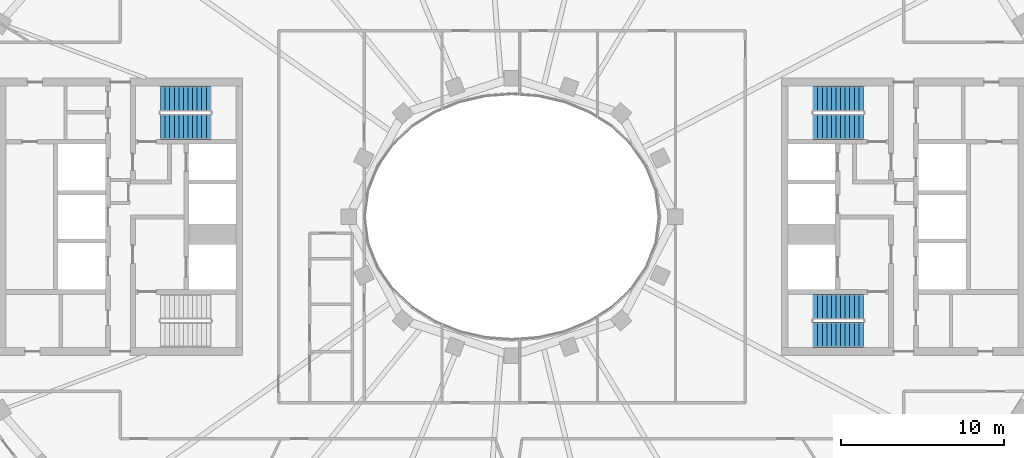
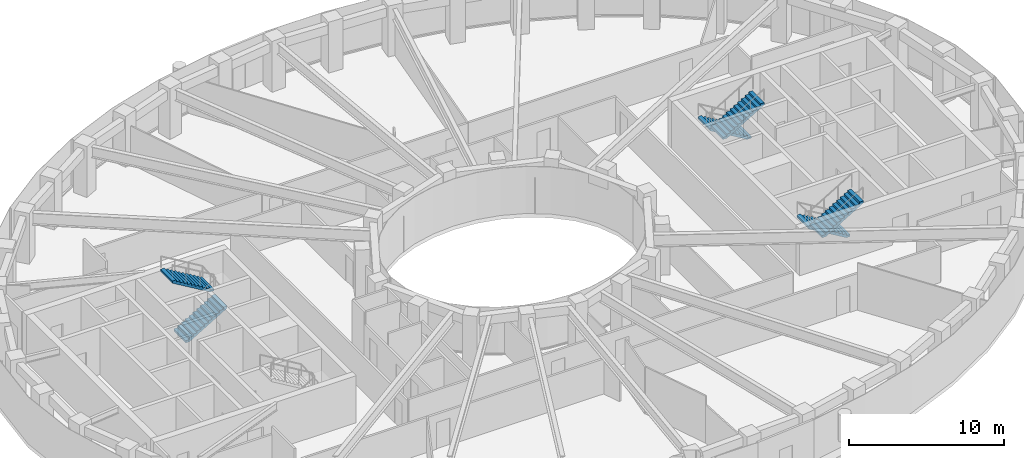
# One storey, part 7 of 16: 6 stair flights, 3 elements without a shape of their own.
"""IFC4 building model written with IfcOpenShell, lengths in metres."""

from ifc_helpers import new_model, si_unit, direction, frame, origin, place, context, subcontext, project, spatial, polyline, outline, extrude, material, type_object, element, aggregate, save


model = new_model("IFC4")

# Units and contexts
model_context = context("Model", 3, precision=1e-05, world=origin(), true_north=direction((0.0, 1.0)))
body_context = subcontext(model_context, "Body", "Model", "MODEL_VIEW")
ifc_project = project(units=[si_unit("LENGTHUNIT", "METRE"), si_unit("AREAUNIT", "SQUARE_METRE"), si_unit("VOLUMEUNIT", "CUBIC_METRE"), si_unit("PLANEANGLEUNIT", "RADIAN"), si_unit("MASSUNIT", "GRAM", prefix="KILO")], contexts=[model_context])

# Site, building, storey
site_placement = place(None, origin())
site = spatial("IfcSite", under=ifc_project, at=site_placement, CompositionType="ELEMENT")
building_placement = place(site_placement, origin())
building = spatial("IfcBuilding", under=site, at=building_placement, Name="Noorbagh Ring Tower", CompositionType="ELEMENT")
storey_placement = place(building_placement, frame((0.0, 0.0, 281.5)))
storey = spatial("IfcBuildingStorey", under=building, at=storey_placement, Name="L60", CompositionType="ELEMENT", Elevation=281.5)

# Stair, stair flights
ifc_material_1 = material(Name="Concrete C40/50", Category="concrete")
stair_type = type_object("IfcStairType", Name="CORE-STAIR", PredefinedType="HALF_TURN_STAIR", material=ifc_material_1)
stair_1_placement = place(storey_placement, origin())
stair_1 = element("IfcStair", 1, at=stair_1_placement, inside=storey, type_object=stair_type, Name="L60 Exit stair ST1", PredefinedType="HALF_TURN_STAIR")
ifc_material_2 = material(Name="Concrete C40/50", Category="concrete")
stair_flight_type = type_object("IfcStairFlightType", Name="CORE-STAIR-FLIGHT", PredefinedType="STRAIGHT", material=ifc_material_2)
stair_flight_1_placement = place(storey_placement, frame((-21.530029296875, 5.52490234375, 0.0), z_axis=(0.0, 0.0, 1.0), x_axis=(1.0, 0.0, 0.0)))
stair_flight_1 = element("IfcStairFlight", 2, at=stair_flight_1_placement, type_object=stair_flight_type, Name="ST1 flight 1", NumberOfRisers=12, NumberOfTreads=11, PredefinedType="STRAIGHT", RiserHeight=0.166666667, TreadLength=0.28, context=body_context, shape_type="SweptSolid", body=[
    extrude(outline(polyline([(0.0, 0.0), (0.0, 0.166748046875), (0.280029296875, 0.166748046875), (0.280029296875, 0.333251953125), (0.56005859375, 0.333251953125), (0.56005859375, 0.5), (0.840087890625, 0.5), (0.840087890625, 0.666748046875), (1.1201171875, 0.666748046875), (1.1201171875, 0.833251953125), (1.39990234375, 0.833251953125), (1.39990234375, 1.0), (1.679931640625, 1.0), (1.679931640625, 1.166748046875), (1.9599609375, 1.166748046875), (1.9599609375, 1.333251953125), (2.239990234375, 1.333251953125), (2.239990234375, 1.5), (2.52001953125, 1.5), (2.52001953125, 1.666748046875), (2.800048828125, 1.666748046875), (2.800048828125, 1.833251953125), (3.080078125, 1.833251953125), (3.080078125, 2.0), (3.080078125, 1.658935546875), (0.29296875, 0.0), (0.0, 0.0)])), frame((0.0, 0.77490234375, 0.0), z_axis=(0.0, -1.0, 0.0), x_axis=(1.0, 0.0, 0.0)), (0.0, 0.0, 1.0), 1.550048828125),
])
stair_flight_2_placement = place(storey_placement, frame((-18.449951171875, 7.22509765625, 2.0), z_axis=(0.0, 0.0, 1.0), x_axis=(-1.0, 0.0, 0.0)))
stair_flight_2 = element("IfcStairFlight", 3, at=stair_flight_2_placement, type_object=stair_flight_type, Name="ST1 flight 2", NumberOfRisers=12, NumberOfTreads=11, PredefinedType="STRAIGHT", RiserHeight=0.166666667, TreadLength=0.28, context=body_context, shape_type="SweptSolid", body=[
    extrude(outline(polyline([(0.0, 0.0), (0.0, 0.166748046875), (0.280029296875, 0.166748046875), (0.280029296875, 0.333251953125), (0.56005859375, 0.333251953125), (0.56005859375, 0.5), (0.840087890625, 0.5), (0.840087890625, 0.666748046875), (1.1201171875, 0.666748046875), (1.1201171875, 0.833251953125), (1.39990234375, 0.833251953125), (1.39990234375, 1.0), (1.679931640625, 1.0), (1.679931640625, 1.166748046875), (1.9599609375, 1.166748046875), (1.9599609375, 1.333251953125), (2.239990234375, 1.333251953125), (2.239990234375, 1.5), (2.52001953125, 1.5), (2.52001953125, 1.666748046875), (2.800048828125, 1.666748046875), (2.800048828125, 1.833251953125), (3.080078125, 1.833251953125), (3.080078125, 2.0), (3.080078125, 1.658935546875), (0.29296875, 0.0), (0.0, 0.0)])), frame((0.0, 0.77490234375, 0.0), z_axis=(0.0, -1.0, 0.0), x_axis=(1.0, 0.0, 0.0)), (0.0, 0.0, 1.0), 1.550048828125),
])
aggregate(stair_1, [stair_flight_1, stair_flight_2])

stair_2_placement = place(storey_placement, origin())
stair_2 = element("IfcStair", 4, at=stair_2_placement, inside=storey, type_object=stair_type, Name="L60 Exit stair ST3", PredefinedType="HALF_TURN_STAIR")
stair_flight_3_placement = place(storey_placement, frame((21.530029296875, 7.22509765625, 0.0), z_axis=(0.0, 0.0, 1.0), x_axis=(-1.0, 0.0, 0.0)))
stair_flight_3 = element("IfcStairFlight", 5, at=stair_flight_3_placement, type_object=stair_flight_type, Name="ST3 flight 1", NumberOfRisers=12, NumberOfTreads=11, PredefinedType="STRAIGHT", RiserHeight=0.166666667, TreadLength=0.28, context=body_context, shape_type="SweptSolid", body=[
    extrude(outline(polyline([(0.0, 0.0), (0.0, 0.166748046875), (0.280029296875, 0.166748046875), (0.280029296875, 0.333251953125), (0.56005859375, 0.333251953125), (0.56005859375, 0.5), (0.840087890625, 0.5), (0.840087890625, 0.666748046875), (1.1201171875, 0.666748046875), (1.1201171875, 0.833251953125), (1.39990234375, 0.833251953125), (1.39990234375, 1.0), (1.679931640625, 1.0), (1.679931640625, 1.166748046875), (1.9599609375, 1.166748046875), (1.9599609375, 1.333251953125), (2.239990234375, 1.333251953125), (2.239990234375, 1.5), (2.52001953125, 1.5), (2.52001953125, 1.666748046875), (2.800048828125, 1.666748046875), (2.800048828125, 1.833251953125), (3.080078125, 1.833251953125), (3.080078125, 2.0), (3.080078125, 1.658935546875), (0.29296875, 0.0), (0.0, 0.0)])), frame((0.0, 0.77490234375, 0.0), z_axis=(0.0, -1.0, 0.0), x_axis=(1.0, 0.0, 0.0)), (0.0, 0.0, 1.0), 1.550048828125),
])
stair_flight_4_placement = place(storey_placement, frame((18.449951171875, 5.52490234375, 2.0), z_axis=(0.0, 0.0, 1.0), x_axis=(1.0, 0.0, 0.0)))
stair_flight_4 = element("IfcStairFlight", 6, at=stair_flight_4_placement, type_object=stair_flight_type, Name="ST3 flight 2", NumberOfRisers=12, NumberOfTreads=11, PredefinedType="STRAIGHT", RiserHeight=0.166666667, TreadLength=0.28, context=body_context, shape_type="SweptSolid", body=[
    extrude(outline(polyline([(0.0, 0.0), (0.0, 0.166748046875), (0.280029296875, 0.166748046875), (0.280029296875, 0.333251953125), (0.56005859375, 0.333251953125), (0.56005859375, 0.5), (0.840087890625, 0.5), (0.840087890625, 0.666748046875), (1.1201171875, 0.666748046875), (1.1201171875, 0.833251953125), (1.39990234375, 0.833251953125), (1.39990234375, 1.0), (1.679931640625, 1.0), (1.679931640625, 1.166748046875), (1.9599609375, 1.166748046875), (1.9599609375, 1.333251953125), (2.239990234375, 1.333251953125), (2.239990234375, 1.5), (2.52001953125, 1.5), (2.52001953125, 1.666748046875), (2.800048828125, 1.666748046875), (2.800048828125, 1.833251953125), (3.080078125, 1.833251953125), (3.080078125, 2.0), (3.080078125, 1.658935546875), (0.29296875, 0.0), (0.0, 0.0)])), frame((0.0, 0.77490234375, 0.0), z_axis=(0.0, -1.0, 0.0), x_axis=(1.0, 0.0, 0.0)), (0.0, 0.0, 1.0), 1.550048828125),
])
aggregate(stair_2, [stair_flight_3, stair_flight_4])

stair_3_placement = place(storey_placement, origin())
stair_3 = element("IfcStair", 7, at=stair_3_placement, inside=storey, type_object=stair_type, Name="L60 Exit stair ST4", PredefinedType="HALF_TURN_STAIR")
stair_flight_5_placement = place(storey_placement, frame((21.530029296875, -5.52490234375, 0.0), z_axis=(0.0, 0.0, 1.0), x_axis=(-1.0, 0.0, 0.0)))
stair_flight_5 = element("IfcStairFlight", 8, at=stair_flight_5_placement, type_object=stair_flight_type, Name="ST4 flight 1", NumberOfRisers=12, NumberOfTreads=11, PredefinedType="STRAIGHT", RiserHeight=0.166666667, TreadLength=0.28, context=body_context, shape_type="SweptSolid", body=[
    extrude(outline(polyline([(0.0, 0.0), (0.0, 0.166748046875), (0.280029296875, 0.166748046875), (0.280029296875, 0.333251953125), (0.56005859375, 0.333251953125), (0.56005859375, 0.5), (0.840087890625, 0.5), (0.840087890625, 0.666748046875), (1.1201171875, 0.666748046875), (1.1201171875, 0.833251953125), (1.39990234375, 0.833251953125), (1.39990234375, 1.0), (1.679931640625, 1.0), (1.679931640625, 1.166748046875), (1.9599609375, 1.166748046875), (1.9599609375, 1.333251953125), (2.239990234375, 1.333251953125), (2.239990234375, 1.5), (2.52001953125, 1.5), (2.52001953125, 1.666748046875), (2.800048828125, 1.666748046875), (2.800048828125, 1.833251953125), (3.080078125, 1.833251953125), (3.080078125, 2.0), (3.080078125, 1.658935546875), (0.29296875, 0.0), (0.0, 0.0)])), frame((0.0, 0.77490234375, 0.0), z_axis=(0.0, -1.0, 0.0), x_axis=(1.0, 0.0, 0.0)), (0.0, 0.0, 1.0), 1.550048828125),
])
stair_flight_6_placement = place(storey_placement, frame((18.449951171875, -7.22509765625, 2.0), z_axis=(0.0, 0.0, 1.0), x_axis=(1.0, 0.0, 0.0)))
stair_flight_6 = element("IfcStairFlight", 9, at=stair_flight_6_placement, type_object=stair_flight_type, Name="ST4 flight 2", NumberOfRisers=12, NumberOfTreads=11, PredefinedType="STRAIGHT", RiserHeight=0.166666667, TreadLength=0.28, context=body_context, shape_type="SweptSolid", body=[
    extrude(outline(polyline([(0.0, 0.0), (0.0, 0.166748046875), (0.280029296875, 0.166748046875), (0.280029296875, 0.333251953125), (0.56005859375, 0.333251953125), (0.56005859375, 0.5), (0.840087890625, 0.5), (0.840087890625, 0.666748046875), (1.1201171875, 0.666748046875), (1.1201171875, 0.833251953125), (1.39990234375, 0.833251953125), (1.39990234375, 1.0), (1.679931640625, 1.0), (1.679931640625, 1.166748046875), (1.9599609375, 1.166748046875), (1.9599609375, 1.333251953125), (2.239990234375, 1.333251953125), (2.239990234375, 1.5), (2.52001953125, 1.5), (2.52001953125, 1.666748046875), (2.800048828125, 1.666748046875), (2.800048828125, 1.833251953125), (3.080078125, 1.833251953125), (3.080078125, 2.0), (3.080078125, 1.658935546875), (0.29296875, 0.0), (0.0, 0.0)])), frame((0.0, 0.77490234375, 0.0), z_axis=(0.0, -1.0, 0.0), x_axis=(1.0, 0.0, 0.0)), (0.0, 0.0, 1.0), 1.550048828125),
])
aggregate(stair_3, [stair_flight_5, stair_flight_6])

save(model, "model.ifc")
